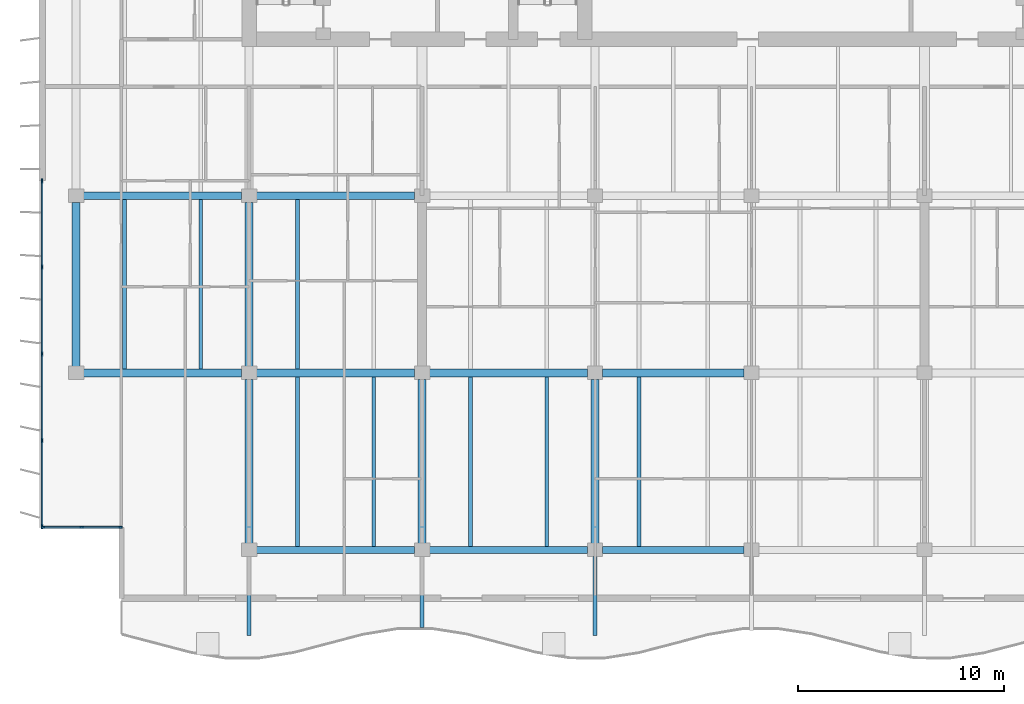
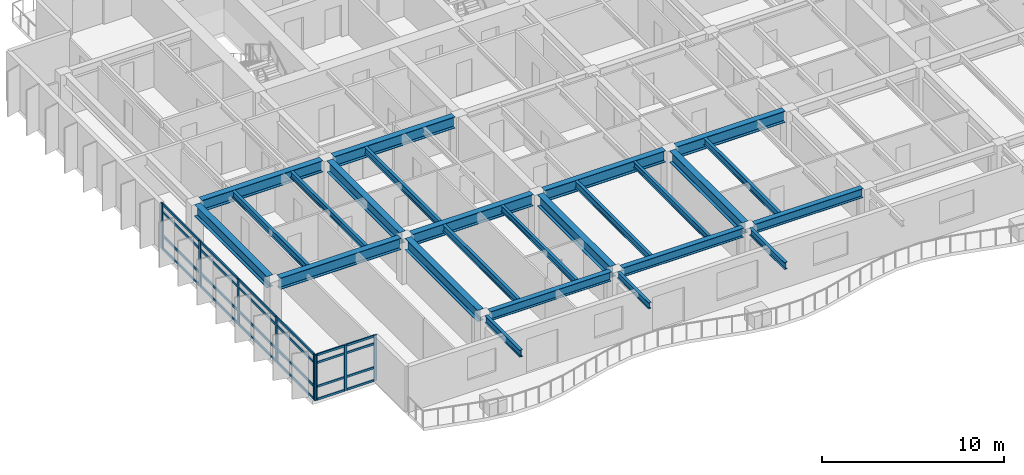
# One storey, part 2 of 16: 32 members, 25 beams, 2 elements without a shape of their own.
"""IFC4 building model written with IfcOpenShell, lengths in metres."""

from ifc_helpers import new_model, si_unit, direction, frame, origin, origin_2d, place, context, subcontext, project, spatial, rectangle, i_section, extrude, material, layer, layer_set, material_profile, profile_set, type_object, element, aggregate, save


model = new_model("IFC4")

# Units and contexts
model_context = context("Model", 3, precision=1e-05, world=origin(), true_north=direction((0.0, 1.0)))
body_context = subcontext(model_context, "Body", "Model", "MODEL_VIEW")
ifc_project = project(units=[si_unit("LENGTHUNIT", "METRE"), si_unit("AREAUNIT", "SQUARE_METRE"), si_unit("VOLUMEUNIT", "CUBIC_METRE"), si_unit("PLANEANGLEUNIT", "RADIAN"), si_unit("MASSUNIT", "GRAM", prefix="KILO")], contexts=[model_context])

# Site, building, storey
site_placement = place(None, origin())
site = spatial("IfcSite", under=ifc_project, at=site_placement, CompositionType="ELEMENT")
building_placement = place(site_placement, origin())
building = spatial("IfcBuilding", under=site, at=building_placement, Name="Caelmar Bay Residences", CompositionType="ELEMENT")
storey_placement = place(building_placement, frame((0.0, 0.0, 249.60009765625)))
storey = spatial("IfcBuildingStorey", under=building, at=storey_placement, Name="L70", CompositionType="ELEMENT", Elevation=249.60009765625)

# Beams
ifc_material_1 = material(Name="Steel ASTM A992 Grade 50", Category="steel")
ifc_material_profile_1 = material_profile(ifc_material_1, i_section(OverallWidth=0.177978515625, OverallDepth=0.406005859375, WebThickness=0.0078125, FlangeThickness=0.0126953125, FilletRadius=0.0087890625, at=origin_2d()), Name="W16X40")
ifc_profile_set_1 = profile_set([ifc_material_profile_1], Name="Steel ASTM A992 Grade 50")
beam_type_1 = type_object("IfcBeamType", Name="BM-BAL-W16X40", PredefinedType="JOIST", material=ifc_profile_set_1)
for number, where, z_axis, x_axis, name in (
    (1, (24.347900390625, 12.362548828125, 2.846923828125), (0.0, 1.0, 0.0), (-1.0, 0.0, 0.0), "L70 Composite Floor Joist 2"),
    (2, (32.748046875, 12.362548828125, 2.846923828125), (0.0, 1.0, 0.0), (-1.0, 0.0, 0.0), "L70 Composite Floor Joist 4"),
):
    element("IfcBeam", number, at=place(storey_placement, frame(where, z_axis=z_axis, x_axis=x_axis)), inside=storey, type_object=beam_type_1, Name=name, PredefinedType="JOIST", context=body_context, shape_type="SweptSolid", body=[
        extrude(i_section(OverallWidth=0.177978515625, OverallDepth=0.406005859375, WebThickness=0.0078125, FlangeThickness=0.0126953125, FilletRadius=0.0087890625, at=origin_2d()), origin(), (0.0, 0.0, 1.0), 8.2470703125),
    ])
beam_1_placement = place(storey_placement, frame((15.947998046875, 20.990478515625, 2.846923828125), z_axis=(0.0, 1.0, 0.0), x_axis=(-1.0, 0.0, 0.0)))
element("IfcBeam", 3, at=beam_1_placement, inside=storey, type_object=beam_type_1, Name="L70 Composite Floor Joist 12", PredefinedType="JOIST", context=body_context, shape_type="SweptSolid", body=[
    extrude(i_section(OverallWidth=0.177978515625, OverallDepth=0.406005859375, WebThickness=0.0078125, FlangeThickness=0.0126953125, FilletRadius=0.0087890625, at=origin_2d()), origin(), (0.0, 0.0, 1.0), 8.218994140625),
])
beam_2_placement = place(storey_placement, frame((26.699951171875, 11.885009765625, 2.846923828125), z_axis=(0.0, -1.0, 0.0), x_axis=(1.0, 0.0, 0.0)))
element("IfcBeam", 4, at=beam_2_placement, inside=storey, type_object=beam_type_1, Name="L71 South Balcony Cantilever Bracket 2", PredefinedType="JOIST", context=body_context, shape_type="SweptSolid", body=[
    extrude(i_section(OverallWidth=0.177978515625, OverallDepth=0.406005859375, WebThickness=0.0078125, FlangeThickness=0.0126953125, FilletRadius=0.0087890625, at=origin_2d()), origin(), (0.0, 0.0, 1.0), 3.449951171875),
])
ifc_material_profile_2 = material_profile(ifc_material_1, i_section(OverallWidth=0.193115234375, OverallDepth=0.467041015625, WebThickness=0.011474609375, FlangeThickness=0.01904296875, FilletRadius=0.01025390625, at=origin_2d()), Name="W18X65")
ifc_profile_set_2 = profile_set([ifc_material_profile_2], Name="Steel ASTM A992 Grade 50")
beam_type_2 = type_object("IfcBeamType", Name="BM-BAL-W18X65", PredefinedType="BEAM", material=ifc_profile_set_2)
for number, where, z_axis, x_axis, name in (
    (5, (18.300048828125, 11.885009765625, 2.81640625), (0.0, -1.0, 0.0), (1.0, 0.0, 0.0), "L71 South Balcony Cantilever Bracket 1"),
    (6, (35.10009765625, 11.885009765625, 2.81640625), (0.0, -1.0, 0.0), (1.0, 0.0, 0.0), "L71 South Balcony Cantilever Bracket 3"),
):
    element("IfcBeam", number, at=place(storey_placement, frame(where, z_axis=z_axis, x_axis=x_axis)), inside=storey, type_object=beam_type_2, Name=name, PredefinedType="BEAM", context=body_context, shape_type="SweptSolid", body=[
        extrude(i_section(OverallWidth=0.193115234375, OverallDepth=0.467041015625, WebThickness=0.011474609375, FlangeThickness=0.01904296875, FilletRadius=0.01025390625, at=origin_2d()), origin(), (0.0, 0.0, 1.0), 3.85009765625),
    ])
ifc_material_profile_3 = material_profile(ifc_material_1, i_section(OverallWidth=0.381103515625, OverallDepth=0.77197265625, WebThickness=0.0166015625, FlangeThickness=0.027099609375, FilletRadius=0.0166015625, at=origin_2d()), Name="W30X173")
ifc_profile_set_3 = profile_set([ifc_material_profile_3], Name="Steel ASTM A992 Grade 50")
beam_type_3 = type_object("IfcBeamType", Name="BM-GRD-W30X173", PredefinedType="BEAM", material=ifc_profile_set_3)
beam_3_placement = place(storey_placement, frame((10.264892578125, 20.800048828125, 2.663818359375), z_axis=(1.0, 0.0, 0.0), x_axis=(0.0, 1.0, 0.0)))
element("IfcBeam", 7, at=beam_3_placement, inside=storey, type_object=beam_type_3, Name="L70 East-West Girder Y=20.80 (9.9-18.3)", PredefinedType="BEAM", context=body_context, shape_type="SweptSolid", body=[
    extrude(i_section(OverallWidth=0.381103515625, OverallDepth=0.77197265625, WebThickness=0.0166015625, FlangeThickness=0.027099609375, FilletRadius=0.0166015625, at=origin_2d()), origin(), (0.0, 0.0, 1.0), 7.670166015625),
])
beam_4_placement = place(storey_placement, frame((18.6650390625, 20.800048828125, 2.663818359375), z_axis=(1.0, 0.0, 0.0), x_axis=(0.0, 1.0, 0.0)))
element("IfcBeam", 8, at=beam_4_placement, inside=storey, type_object=beam_type_3, Name="L70 East-West Girder Y=20.80 (18.3-26.7)", PredefinedType="BEAM", context=body_context, shape_type="SweptSolid", body=[
    extrude(i_section(OverallWidth=0.381103515625, OverallDepth=0.77197265625, WebThickness=0.0166015625, FlangeThickness=0.027099609375, FilletRadius=0.0166015625, at=origin_2d()), origin(), (0.0, 0.0, 1.0), 7.669921875),
])
beam_5_placement = place(storey_placement, frame((27.06494140625, 20.800048828125, 2.663818359375), z_axis=(1.0, 0.0, 0.0), x_axis=(0.0, 1.0, 0.0)))
element("IfcBeam", 9, at=beam_5_placement, inside=storey, type_object=beam_type_3, Name="L70 East-West Girder Y=20.80 (26.7-35.1)", PredefinedType="BEAM", context=body_context, shape_type="SweptSolid", body=[
    extrude(i_section(OverallWidth=0.381103515625, OverallDepth=0.77197265625, WebThickness=0.0166015625, FlangeThickness=0.027099609375, FilletRadius=0.0166015625, at=origin_2d()), origin(), (0.0, 0.0, 1.0), 7.670166015625),
])
beam_6_placement = place(storey_placement, frame((35.465087890625, 20.800048828125, 2.663818359375), z_axis=(1.0, 0.0, 0.0), x_axis=(0.0, 1.0, 0.0)))
element("IfcBeam", 10, at=beam_6_placement, inside=storey, type_object=beam_type_3, Name="L70 East-West Girder Y=20.80 (35.1-42.7)", PredefinedType="BEAM", context=body_context, shape_type="SweptSolid", body=[
    extrude(i_section(OverallWidth=0.381103515625, OverallDepth=0.77197265625, WebThickness=0.0166015625, FlangeThickness=0.027099609375, FilletRadius=0.0166015625, at=origin_2d()), origin(), (0.0, 0.0, 1.0), 6.869873046875),
])
beam_7_placement = place(storey_placement, frame((10.264892578125, 29.39990234375, 2.663818359375), z_axis=(1.0, 0.0, 0.0), x_axis=(0.0, 1.0, 0.0)))
element("IfcBeam", 11, at=beam_7_placement, inside=storey, type_object=beam_type_3, Name="L70 East-West Girder Y=29.40 (9.9-18.3)", PredefinedType="BEAM", context=body_context, shape_type="SweptSolid", body=[
    extrude(i_section(OverallWidth=0.381103515625, OverallDepth=0.77197265625, WebThickness=0.0166015625, FlangeThickness=0.027099609375, FilletRadius=0.0166015625, at=origin_2d()), origin(), (0.0, 0.0, 1.0), 7.670166015625),
])
beam_8_placement = place(storey_placement, frame((18.6650390625, 29.39990234375, 2.663818359375), z_axis=(1.0, 0.0, 0.0), x_axis=(0.0, 1.0, 0.0)))
element("IfcBeam", 12, at=beam_8_placement, inside=storey, type_object=beam_type_3, Name="L70 East-West Girder Y=29.40 (18.3-26.7)", PredefinedType="BEAM", context=body_context, shape_type="SweptSolid", body=[
    extrude(i_section(OverallWidth=0.381103515625, OverallDepth=0.77197265625, WebThickness=0.0166015625, FlangeThickness=0.027099609375, FilletRadius=0.0166015625, at=origin_2d()), origin(), (0.0, 0.0, 1.0), 7.669921875),
])
beam_9_placement = place(storey_placement, frame((9.89990234375, 21.114990234375, 2.663818359375), z_axis=(0.0, 1.0, 0.0), x_axis=(-1.0, 0.0, 0.0)))
element("IfcBeam", 13, at=beam_9_placement, inside=storey, type_object=beam_type_3, Name="L70 North-South Girder X=9.90 (20.8-29.4)", PredefinedType="BEAM", context=body_context, shape_type="SweptSolid", body=[
    extrude(i_section(OverallWidth=0.381103515625, OverallDepth=0.77197265625, WebThickness=0.0166015625, FlangeThickness=0.027099609375, FilletRadius=0.0166015625, at=origin_2d()), origin(), (0.0, 0.0, 1.0), 7.969970703125),
])
beam_10_placement = place(storey_placement, frame((18.300048828125, 12.514892578125, 2.663818359375), z_axis=(0.0, 1.0, 0.0), x_axis=(-1.0, 0.0, 0.0)))
element("IfcBeam", 14, at=beam_10_placement, inside=storey, type_object=beam_type_3, Name="L70 North-South Girder X=18.30 (12.2-20.8)", PredefinedType="BEAM", context=body_context, shape_type="SweptSolid", body=[
    extrude(i_section(OverallWidth=0.381103515625, OverallDepth=0.77197265625, WebThickness=0.0166015625, FlangeThickness=0.027099609375, FilletRadius=0.0166015625, at=origin_2d()), origin(), (0.0, 0.0, 1.0), 7.97021484375),
])
beam_11_placement = place(storey_placement, frame((18.300048828125, 21.114990234375, 2.663818359375), z_axis=(0.0, 1.0, 0.0), x_axis=(-1.0, 0.0, 0.0)))
element("IfcBeam", 15, at=beam_11_placement, inside=storey, type_object=beam_type_3, Name="L70 North-South Girder X=18.30 (20.8-29.4)", PredefinedType="BEAM", context=body_context, shape_type="SweptSolid", body=[
    extrude(i_section(OverallWidth=0.381103515625, OverallDepth=0.77197265625, WebThickness=0.0166015625, FlangeThickness=0.027099609375, FilletRadius=0.0166015625, at=origin_2d()), origin(), (0.0, 0.0, 1.0), 7.969970703125),
])
for number, where, z_axis, x_axis, name in (
    (16, (26.699951171875, 12.514892578125, 2.663818359375), (0.0, 1.0, 0.0), (-1.0, 0.0, 0.0), "L70 North-South Girder X=26.70 (12.2-20.8)"),
    (17, (35.10009765625, 12.514892578125, 2.663818359375), (0.0, 1.0, 0.0), (-1.0, 0.0, 0.0), "L70 North-South Girder X=35.10 (12.2-20.8)"),
):
    element("IfcBeam", number, at=place(storey_placement, frame(where, z_axis=z_axis, x_axis=x_axis)), inside=storey, type_object=beam_type_3, Name=name, PredefinedType="BEAM", context=body_context, shape_type="SweptSolid", body=[
        extrude(i_section(OverallWidth=0.381103515625, OverallDepth=0.77197265625, WebThickness=0.0166015625, FlangeThickness=0.027099609375, FilletRadius=0.0166015625, at=origin_2d()), origin(), (0.0, 0.0, 1.0), 7.97021484375),
    ])
ifc_material_profile_4 = material_profile(ifc_material_1, i_section(OverallWidth=0.19091796875, OverallDepth=0.45703125, WebThickness=0.009033203125, FlangeThickness=0.014404296875, FilletRadius=0.01025390625, at=origin_2d()), Name="W18X50")
ifc_profile_set_4 = profile_set([ifc_material_profile_4], Name="Steel ASTM A992 Grade 50")
beam_type_4 = type_object("IfcBeamType", Name="BM-JST-W18X50", PredefinedType="JOIST", material=ifc_profile_set_4)
for number, where, z_axis, x_axis, name in (
    (18, (20.652099609375, 12.362548828125, 2.8212890625), (0.0, 1.0, 0.0), (-1.0, 0.0, 0.0), "L70 Composite Floor Joist 1"),
    (19, (29.052001953125, 12.362548828125, 2.8212890625), (0.0, 1.0, 0.0), (-1.0, 0.0, 0.0), "L70 Composite Floor Joist 3"),
    (20, (37.22802734375, 12.362548828125, 2.8212890625), (0.0, 1.0, 0.0), (-1.0, 0.0, 0.0), "L70 Composite Floor Joist 5"),
):
    element("IfcBeam", number, at=place(storey_placement, frame(where, z_axis=z_axis, x_axis=x_axis)), inside=storey, type_object=beam_type_4, Name=name, PredefinedType="JOIST", context=body_context, shape_type="SweptSolid", body=[
        extrude(i_section(OverallWidth=0.19091796875, OverallDepth=0.45703125, WebThickness=0.009033203125, FlangeThickness=0.014404296875, FilletRadius=0.01025390625, at=origin_2d()), origin(), (0.0, 0.0, 1.0), 8.2470703125),
    ])
for number, where, z_axis, x_axis, name in (
    (21, (12.251953125, 20.990478515625, 2.8212890625), (0.0, 1.0, 0.0), (-1.0, 0.0, 0.0), "L70 Composite Floor Joist 11"),
    (22, (20.652099609375, 20.990478515625, 2.8212890625), (0.0, 1.0, 0.0), (-1.0, 0.0, 0.0), "L70 Composite Floor Joist 13"),
):
    element("IfcBeam", number, at=place(storey_placement, frame(where, z_axis=z_axis, x_axis=x_axis)), inside=storey, type_object=beam_type_4, Name=name, PredefinedType="JOIST", context=body_context, shape_type="SweptSolid", body=[
        extrude(i_section(OverallWidth=0.19091796875, OverallDepth=0.45703125, WebThickness=0.009033203125, FlangeThickness=0.014404296875, FilletRadius=0.01025390625, at=origin_2d()), origin(), (0.0, 0.0, 1.0), 8.218994140625),
    ])
ifc_material_profile_5 = material_profile(ifc_material_1, i_section(OverallWidth=0.324951171875, OverallDepth=0.616943359375, WebThickness=0.013916015625, FlangeThickness=0.021484375, FilletRadius=0.0126953125, at=origin_2d()), Name="W24X117")
ifc_profile_set_5 = profile_set([ifc_material_profile_5], Name="Steel ASTM A992 Grade 50")
beam_type_5 = type_object("IfcBeamType", Name="BM-SPN-W24X117", PredefinedType="SPANDREL", material=ifc_profile_set_5)
beam_12_placement = place(storey_placement, frame((18.6650390625, 12.199951171875, 2.741455078125), z_axis=(1.0, 0.0, 0.0), x_axis=(0.0, 1.0, 0.0)))
element("IfcBeam", 23, at=beam_12_placement, inside=storey, type_object=beam_type_5, Name="L70 East-West Girder Y=12.20 (18.3-26.7)", PredefinedType="SPANDREL", context=body_context, shape_type="SweptSolid", body=[
    extrude(i_section(OverallWidth=0.324951171875, OverallDepth=0.616943359375, WebThickness=0.013916015625, FlangeThickness=0.021484375, FilletRadius=0.0126953125, at=origin_2d()), origin(), (0.0, 0.0, 1.0), 7.669921875),
])
beam_13_placement = place(storey_placement, frame((27.06494140625, 12.199951171875, 2.741455078125), z_axis=(1.0, 0.0, 0.0), x_axis=(0.0, 1.0, 0.0)))
element("IfcBeam", 24, at=beam_13_placement, inside=storey, type_object=beam_type_5, Name="L70 East-West Girder Y=12.20 (26.7-35.1)", PredefinedType="SPANDREL", context=body_context, shape_type="SweptSolid", body=[
    extrude(i_section(OverallWidth=0.324951171875, OverallDepth=0.616943359375, WebThickness=0.013916015625, FlangeThickness=0.021484375, FilletRadius=0.0126953125, at=origin_2d()), origin(), (0.0, 0.0, 1.0), 7.670166015625),
])
beam_14_placement = place(storey_placement, frame((35.465087890625, 12.199951171875, 2.741455078125), z_axis=(1.0, 0.0, 0.0), x_axis=(0.0, 1.0, 0.0)))
element("IfcBeam", 25, at=beam_14_placement, inside=storey, type_object=beam_type_5, Name="L70 East-West Girder Y=12.20 (35.1-42.7)", PredefinedType="SPANDREL", context=body_context, shape_type="SweptSolid", body=[
    extrude(i_section(OverallWidth=0.324951171875, OverallDepth=0.616943359375, WebThickness=0.013916015625, FlangeThickness=0.021484375, FilletRadius=0.0126953125, at=origin_2d()), origin(), (0.0, 0.0, 1.0), 6.869873046875),
])

# Curtain wall, members
ifc_material_2 = material(Name="Anodised bronze aluminium 6063-T6 and laminated glass", Category="aluminium")
ifc_layer_1 = layer(ifc_material_2, 0.179931640625)
ifc_layer_set_1 = layer_set([ifc_layer_1], Name="Anodised bronze aluminium 6063-T6 and laminated glass")
curtain_wall_type_1 = type_object("IfcCurtainWallType", Name="CW6-NTC", PredefinedType="NOTDEFINED", material=ifc_layer_set_1)
curtain_wall_1_placement = place(storey_placement, origin())
curtain_wall_1 = element("IfcCurtainWall", 26, at=curtain_wall_1_placement, inside=storey, type_object=curtain_wall_type_1, Name="CW6 curtain wall L70", PredefinedType="NOTDEFINED")
ifc_material_3 = material(Name="Anodised bronze aluminium 6063-T6", Category="aluminium")
ifc_material_profile_6 = material_profile(ifc_material_3, rectangle(XDim=0.080078125, YDim=0.179931640625, at=origin_2d()), Name="CWM-80X180")
ifc_profile_set_6 = profile_set([ifc_material_profile_6], Name="Anodised bronze aluminium 6063-T6")
member_type_1 = type_object("IfcMemberType", Name="CWM-180", PredefinedType="MULLION", material=ifc_profile_set_6)
member_1_placement = place(storey_placement, frame((8.2900390625, 13.300048828125, 0.0), z_axis=(0.0, 0.0, 1.0), x_axis=(0.0, 1.0, 0.0)))
member_1 = element("IfcMember", 27, at=member_1_placement, type_object=member_type_1, Name="CW6 mullion 1", PredefinedType="MULLION", context=body_context, shape_type="SweptSolid", body=[
    extrude(rectangle(XDim=0.080078125, YDim=0.179931640625, at=origin_2d()), origin(), (0.0, 0.0, 1.0), 3.0498046875),
])
member_2_placement = place(storey_placement, frame((10.175048828125, 13.300048828125, 0.0), z_axis=(0.0, 0.0, 1.0), x_axis=(0.0, 1.0, 0.0)))
member_2 = element("IfcMember", 28, at=member_2_placement, type_object=member_type_1, Name="CW6 mullion 2", PredefinedType="MULLION", context=body_context, shape_type="SweptSolid", body=[
    extrude(rectangle(XDim=0.080078125, YDim=0.179931640625, at=origin_2d()), origin(), (0.0, 0.0, 1.0), 3.0498046875),
])
member_3_placement = place(storey_placement, frame((12.06005859375, 13.300048828125, 0.0), z_axis=(0.0, 0.0, 1.0), x_axis=(0.0, 1.0, 0.0)))
member_3 = element("IfcMember", 29, at=member_3_placement, type_object=member_type_1, Name="CW6 mullion 3", PredefinedType="MULLION", context=body_context, shape_type="SweptSolid", body=[
    extrude(rectangle(XDim=0.080078125, YDim=0.179931640625, at=origin_2d()), origin(), (0.0, 0.0, 1.0), 3.0498046875),
])

ifc_layer_2 = layer(ifc_material_2, 0.179931640625)
ifc_layer_set_2 = layer_set([ifc_layer_2], Name="Anodised bronze aluminium 6063-T6 and laminated glass")
curtain_wall_type_2 = type_object("IfcCurtainWallType", Name="CW5-Z4", PredefinedType="NOTDEFINED", material=ifc_layer_set_2)
curtain_wall_2_placement = place(storey_placement, origin())
curtain_wall_2 = element("IfcCurtainWall", 30, at=curtain_wall_2_placement, inside=storey, type_object=curtain_wall_type_2, Name="CW5 curtain wall L70", PredefinedType="NOTDEFINED")
ifc_material_profile_7 = material_profile(ifc_material_3, rectangle(XDim=0.080078125, YDim=0.219970703125, at=origin_2d()), Name="CWM-80X220")
ifc_profile_set_7 = profile_set([ifc_material_profile_7], Name="Anodised bronze aluminium 6063-T6")
member_type_2 = type_object("IfcMemberType", Name="CWM-220", PredefinedType="MULLION", material=ifc_profile_set_7)
member_4_placement = place(storey_placement, frame((8.25, 13.340087890625, 0.0), z_axis=(0.0, 0.0, 1.0), x_axis=(-1.0, 0.0, 0.0)))
member_4 = element("IfcMember", 31, at=member_4_placement, type_object=member_type_2, Name="CW5 mullion 1", PredefinedType="MULLION", context=body_context, shape_type="SweptSolid", body=[
    extrude(rectangle(XDim=0.080078125, YDim=0.219970703125, at=origin_2d()), origin(), (0.0, 0.0, 1.0), 3.0498046875),
])
member_5_placement = place(storey_placement, frame((8.25, 17.512451171875, 0.0), z_axis=(0.0, 0.0, 1.0), x_axis=(-1.0, 0.0, 0.0)))
member_5 = element("IfcMember", 32, at=member_5_placement, type_object=member_type_2, Name="CW5 mullion 2", PredefinedType="MULLION", context=body_context, shape_type="SweptSolid", body=[
    extrude(rectangle(XDim=0.080078125, YDim=0.219970703125, at=origin_2d()), origin(), (0.0, 0.0, 1.0), 3.0498046875),
])
member_6_placement = place(storey_placement, frame((8.25, 21.72509765625, 0.0), z_axis=(0.0, 0.0, 1.0), x_axis=(-1.0, 0.0, 0.0)))
member_6 = element("IfcMember", 33, at=member_6_placement, type_object=member_type_2, Name="CW5 mullion 3", PredefinedType="MULLION", context=body_context, shape_type="SweptSolid", body=[
    extrude(rectangle(XDim=0.080078125, YDim=0.219970703125, at=origin_2d()), origin(), (0.0, 0.0, 1.0), 3.0498046875),
])
member_7_placement = place(storey_placement, frame((8.25, 25.9375, 0.0), z_axis=(0.0, 0.0, 1.0), x_axis=(-1.0, 0.0, 0.0)))
member_7 = element("IfcMember", 34, at=member_7_placement, type_object=member_type_2, Name="CW5 mullion 4", PredefinedType="MULLION", context=body_context, shape_type="SweptSolid", body=[
    extrude(rectangle(XDim=0.080078125, YDim=0.219970703125, at=origin_2d()), origin(), (0.0, 0.0, 1.0), 3.0498046875),
])
member_8_placement = place(storey_placement, frame((8.25, 30.110107421875, 0.0), z_axis=(0.0, 0.0, 1.0), x_axis=(-1.0, 0.0, 0.0)))
member_8 = element("IfcMember", 35, at=member_8_placement, type_object=member_type_2, Name="CW5 mullion 5", PredefinedType="MULLION", context=body_context, shape_type="SweptSolid", body=[
    extrude(rectangle(XDim=0.080078125, YDim=0.219970703125, at=origin_2d()), origin(), (0.0, 0.0, 1.0), 3.0498046875),
])

# Member
ifc_material_profile_8 = material_profile(ifc_material_3, rectangle(XDim=0.080078125, YDim=0.139892578125, at=origin_2d()), Name="CWT-80X140")
ifc_profile_set_8 = profile_set([ifc_material_profile_8], Name="Anodised bronze aluminium 6063-T6")
member_type_3 = type_object("IfcMemberType", Name="CWT-140", PredefinedType="NOTDEFINED", material=ifc_profile_set_8)
member_9_placement = place(storey_placement, frame((8.330078125, 13.300048828125, 0.039794921875), z_axis=(1.0, 0.0, 0.0), x_axis=(0.0, 1.0, 0.0)))
member_9 = element("IfcMember", 36, at=member_9_placement, type_object=member_type_3, Name="CW6 transom 1.1", ObjectType="TRANSOM", PredefinedType="USERDEFINED", context=body_context, shape_type="SweptSolid", body=[
    extrude(rectangle(XDim=0.080078125, YDim=0.139892578125, at=origin_2d()), origin(), (0.0, 0.0, 1.0), 1.804931640625),
])

member_10_placement = place(storey_placement, frame((8.330078125, 13.300048828125, 0.89990234375), z_axis=(1.0, 0.0, 0.0), x_axis=(0.0, 1.0, 0.0)))
member_10 = element("IfcMember", 37, at=member_10_placement, type_object=member_type_3, Name="CW6 transom 1.2", ObjectType="TRANSOM", PredefinedType="USERDEFINED", context=body_context, shape_type="SweptSolid", body=[
    extrude(rectangle(XDim=0.080078125, YDim=0.139892578125, at=origin_2d()), origin(), (0.0, 0.0, 1.0), 1.804931640625),
])

member_11_placement = place(storey_placement, frame((8.330078125, 13.300048828125, 2.5), z_axis=(1.0, 0.0, 0.0), x_axis=(0.0, 1.0, 0.0)))
member_11 = element("IfcMember", 38, at=member_11_placement, type_object=member_type_3, Name="CW6 transom 1.3", ObjectType="TRANSOM", PredefinedType="USERDEFINED", context=body_context, shape_type="SweptSolid", body=[
    extrude(rectangle(XDim=0.080078125, YDim=0.139892578125, at=origin_2d()), origin(), (0.0, 0.0, 1.0), 1.804931640625),
])

member_12_placement = place(storey_placement, frame((8.330078125, 13.300048828125, 3.010009765625), z_axis=(1.0, 0.0, 0.0), x_axis=(0.0, 1.0, 0.0)))
member_12 = element("IfcMember", 39, at=member_12_placement, type_object=member_type_3, Name="CW6 transom 1.4", ObjectType="TRANSOM", PredefinedType="USERDEFINED", context=body_context, shape_type="SweptSolid", body=[
    extrude(rectangle(XDim=0.080078125, YDim=0.139892578125, at=origin_2d()), origin(), (0.0, 0.0, 1.0), 1.804931640625),
])

member_13_placement = place(storey_placement, frame((10.215087890625, 13.300048828125, 0.039794921875), z_axis=(1.0, 0.0, 0.0), x_axis=(0.0, 1.0, 0.0)))
member_13 = element("IfcMember", 40, at=member_13_placement, type_object=member_type_3, Name="CW6 transom 2.1", ObjectType="TRANSOM", PredefinedType="USERDEFINED", context=body_context, shape_type="SweptSolid", body=[
    extrude(rectangle(XDim=0.080078125, YDim=0.139892578125, at=origin_2d()), origin(), (0.0, 0.0, 1.0), 1.804931640625),
])

member_14_placement = place(storey_placement, frame((10.215087890625, 13.300048828125, 0.89990234375), z_axis=(1.0, 0.0, 0.0), x_axis=(0.0, 1.0, 0.0)))
member_14 = element("IfcMember", 41, at=member_14_placement, type_object=member_type_3, Name="CW6 transom 2.2", ObjectType="TRANSOM", PredefinedType="USERDEFINED", context=body_context, shape_type="SweptSolid", body=[
    extrude(rectangle(XDim=0.080078125, YDim=0.139892578125, at=origin_2d()), origin(), (0.0, 0.0, 1.0), 1.804931640625),
])

member_15_placement = place(storey_placement, frame((10.215087890625, 13.300048828125, 2.5), z_axis=(1.0, 0.0, 0.0), x_axis=(0.0, 1.0, 0.0)))
member_15 = element("IfcMember", 42, at=member_15_placement, type_object=member_type_3, Name="CW6 transom 2.3", ObjectType="TRANSOM", PredefinedType="USERDEFINED", context=body_context, shape_type="SweptSolid", body=[
    extrude(rectangle(XDim=0.080078125, YDim=0.139892578125, at=origin_2d()), origin(), (0.0, 0.0, 1.0), 1.804931640625),
])

member_16_placement = place(storey_placement, frame((10.215087890625, 13.300048828125, 3.010009765625), z_axis=(1.0, 0.0, 0.0), x_axis=(0.0, 1.0, 0.0)))
member_16 = element("IfcMember", 43, at=member_16_placement, type_object=member_type_3, Name="CW6 transom 2.4", ObjectType="TRANSOM", PredefinedType="USERDEFINED", context=body_context, shape_type="SweptSolid", body=[
    extrude(rectangle(XDim=0.080078125, YDim=0.139892578125, at=origin_2d()), origin(), (0.0, 0.0, 1.0), 1.804931640625),
])

aggregate(curtain_wall_1, [member_1, member_2, member_3, member_9, member_10, member_11, member_12, member_13, member_14, member_15, member_16])

ifc_material_profile_9 = material_profile(ifc_material_3, rectangle(XDim=0.080078125, YDim=0.159912109375, at=origin_2d()), Name="CWT-80X160")
ifc_profile_set_9 = profile_set([ifc_material_profile_9], Name="Anodised bronze aluminium 6063-T6")
member_type_4 = type_object("IfcMemberType", Name="CWT-160", PredefinedType="NOTDEFINED", material=ifc_profile_set_9)
member_17_placement = place(storey_placement, frame((8.25, 13.3798828125, 0.039794921875), z_axis=(0.0, 1.0, 0.0), x_axis=(-1.0, 0.0, 0.0)))
member_17 = element("IfcMember", 44, at=member_17_placement, type_object=member_type_4, Name="CW5 transom 1.1", ObjectType="TRANSOM", PredefinedType="USERDEFINED", context=body_context, shape_type="SweptSolid", body=[
    extrude(rectangle(XDim=0.080078125, YDim=0.159912109375, at=origin_2d()), origin(), (0.0, 0.0, 1.0), 4.092529296875),
])

member_18_placement = place(storey_placement, frame((8.25, 13.3798828125, 0.89990234375), z_axis=(0.0, 1.0, 0.0), x_axis=(-1.0, 0.0, 0.0)))
member_18 = element("IfcMember", 45, at=member_18_placement, type_object=member_type_4, Name="CW5 transom 1.2", ObjectType="TRANSOM", PredefinedType="USERDEFINED", context=body_context, shape_type="SweptSolid", body=[
    extrude(rectangle(XDim=0.080078125, YDim=0.159912109375, at=origin_2d()), origin(), (0.0, 0.0, 1.0), 4.092529296875),
])

member_19_placement = place(storey_placement, frame((8.25, 13.3798828125, 2.5), z_axis=(0.0, 1.0, 0.0), x_axis=(-1.0, 0.0, 0.0)))
member_19 = element("IfcMember", 46, at=member_19_placement, type_object=member_type_4, Name="CW5 transom 1.3", ObjectType="TRANSOM", PredefinedType="USERDEFINED", context=body_context, shape_type="SweptSolid", body=[
    extrude(rectangle(XDim=0.080078125, YDim=0.159912109375, at=origin_2d()), origin(), (0.0, 0.0, 1.0), 4.092529296875),
])

member_20_placement = place(storey_placement, frame((8.25, 13.3798828125, 3.010009765625), z_axis=(0.0, 1.0, 0.0), x_axis=(-1.0, 0.0, 0.0)))
member_20 = element("IfcMember", 47, at=member_20_placement, type_object=member_type_4, Name="CW5 transom 1.4", ObjectType="TRANSOM", PredefinedType="USERDEFINED", context=body_context, shape_type="SweptSolid", body=[
    extrude(rectangle(XDim=0.080078125, YDim=0.159912109375, at=origin_2d()), origin(), (0.0, 0.0, 1.0), 4.092529296875),
])

member_21_placement = place(storey_placement, frame((8.25, 17.552490234375, 0.039794921875), z_axis=(0.0, 1.0, 0.0), x_axis=(-1.0, 0.0, 0.0)))
member_21 = element("IfcMember", 48, at=member_21_placement, type_object=member_type_4, Name="CW5 transom 2.1", ObjectType="TRANSOM", PredefinedType="USERDEFINED", context=body_context, shape_type="SweptSolid", body=[
    extrude(rectangle(XDim=0.080078125, YDim=0.159912109375, at=origin_2d()), origin(), (0.0, 0.0, 1.0), 4.132568359375),
])

member_22_placement = place(storey_placement, frame((8.25, 17.552490234375, 0.89990234375), z_axis=(0.0, 1.0, 0.0), x_axis=(-1.0, 0.0, 0.0)))
member_22 = element("IfcMember", 49, at=member_22_placement, type_object=member_type_4, Name="CW5 transom 2.2", ObjectType="TRANSOM", PredefinedType="USERDEFINED", context=body_context, shape_type="SweptSolid", body=[
    extrude(rectangle(XDim=0.080078125, YDim=0.159912109375, at=origin_2d()), origin(), (0.0, 0.0, 1.0), 4.132568359375),
])

member_23_placement = place(storey_placement, frame((8.25, 17.552490234375, 2.5), z_axis=(0.0, 1.0, 0.0), x_axis=(-1.0, 0.0, 0.0)))
member_23 = element("IfcMember", 50, at=member_23_placement, type_object=member_type_4, Name="CW5 transom 2.3", ObjectType="TRANSOM", PredefinedType="USERDEFINED", context=body_context, shape_type="SweptSolid", body=[
    extrude(rectangle(XDim=0.080078125, YDim=0.159912109375, at=origin_2d()), origin(), (0.0, 0.0, 1.0), 4.132568359375),
])

member_24_placement = place(storey_placement, frame((8.25, 17.552490234375, 3.010009765625), z_axis=(0.0, 1.0, 0.0), x_axis=(-1.0, 0.0, 0.0)))
member_24 = element("IfcMember", 51, at=member_24_placement, type_object=member_type_4, Name="CW5 transom 2.4", ObjectType="TRANSOM", PredefinedType="USERDEFINED", context=body_context, shape_type="SweptSolid", body=[
    extrude(rectangle(XDim=0.080078125, YDim=0.159912109375, at=origin_2d()), origin(), (0.0, 0.0, 1.0), 4.132568359375),
])

member_25_placement = place(storey_placement, frame((8.25, 21.764892578125, 0.039794921875), z_axis=(0.0, 1.0, 0.0), x_axis=(-1.0, 0.0, 0.0)))
member_25 = element("IfcMember", 52, at=member_25_placement, type_object=member_type_4, Name="CW5 transom 3.1", ObjectType="TRANSOM", PredefinedType="USERDEFINED", context=body_context, shape_type="SweptSolid", body=[
    extrude(rectangle(XDim=0.080078125, YDim=0.159912109375, at=origin_2d()), origin(), (0.0, 0.0, 1.0), 4.132568359375),
])

member_26_placement = place(storey_placement, frame((8.25, 21.764892578125, 0.89990234375), z_axis=(0.0, 1.0, 0.0), x_axis=(-1.0, 0.0, 0.0)))
member_26 = element("IfcMember", 53, at=member_26_placement, type_object=member_type_4, Name="CW5 transom 3.2", ObjectType="TRANSOM", PredefinedType="USERDEFINED", context=body_context, shape_type="SweptSolid", body=[
    extrude(rectangle(XDim=0.080078125, YDim=0.159912109375, at=origin_2d()), origin(), (0.0, 0.0, 1.0), 4.132568359375),
])

member_27_placement = place(storey_placement, frame((8.25, 21.764892578125, 2.5), z_axis=(0.0, 1.0, 0.0), x_axis=(-1.0, 0.0, 0.0)))
member_27 = element("IfcMember", 54, at=member_27_placement, type_object=member_type_4, Name="CW5 transom 3.3", ObjectType="TRANSOM", PredefinedType="USERDEFINED", context=body_context, shape_type="SweptSolid", body=[
    extrude(rectangle(XDim=0.080078125, YDim=0.159912109375, at=origin_2d()), origin(), (0.0, 0.0, 1.0), 4.132568359375),
])

member_28_placement = place(storey_placement, frame((8.25, 21.764892578125, 3.010009765625), z_axis=(0.0, 1.0, 0.0), x_axis=(-1.0, 0.0, 0.0)))
member_28 = element("IfcMember", 55, at=member_28_placement, type_object=member_type_4, Name="CW5 transom 3.4", ObjectType="TRANSOM", PredefinedType="USERDEFINED", context=body_context, shape_type="SweptSolid", body=[
    extrude(rectangle(XDim=0.080078125, YDim=0.159912109375, at=origin_2d()), origin(), (0.0, 0.0, 1.0), 4.132568359375),
])

member_29_placement = place(storey_placement, frame((8.25, 25.9775390625, 0.039794921875), z_axis=(0.0, 1.0, 0.0), x_axis=(-1.0, 0.0, 0.0)))
member_29 = element("IfcMember", 56, at=member_29_placement, type_object=member_type_4, Name="CW5 transom 4.1", ObjectType="TRANSOM", PredefinedType="USERDEFINED", context=body_context, shape_type="SweptSolid", body=[
    extrude(rectangle(XDim=0.080078125, YDim=0.159912109375, at=origin_2d()), origin(), (0.0, 0.0, 1.0), 4.092529296875),
])

member_30_placement = place(storey_placement, frame((8.25, 25.9775390625, 0.89990234375), z_axis=(0.0, 1.0, 0.0), x_axis=(-1.0, 0.0, 0.0)))
member_30 = element("IfcMember", 57, at=member_30_placement, type_object=member_type_4, Name="CW5 transom 4.2", ObjectType="TRANSOM", PredefinedType="USERDEFINED", context=body_context, shape_type="SweptSolid", body=[
    extrude(rectangle(XDim=0.080078125, YDim=0.159912109375, at=origin_2d()), origin(), (0.0, 0.0, 1.0), 4.092529296875),
])

member_31_placement = place(storey_placement, frame((8.25, 25.9775390625, 2.5), z_axis=(0.0, 1.0, 0.0), x_axis=(-1.0, 0.0, 0.0)))
member_31 = element("IfcMember", 58, at=member_31_placement, type_object=member_type_4, Name="CW5 transom 4.3", ObjectType="TRANSOM", PredefinedType="USERDEFINED", context=body_context, shape_type="SweptSolid", body=[
    extrude(rectangle(XDim=0.080078125, YDim=0.159912109375, at=origin_2d()), origin(), (0.0, 0.0, 1.0), 4.092529296875),
])

member_32_placement = place(storey_placement, frame((8.25, 25.9775390625, 3.010009765625), z_axis=(0.0, 1.0, 0.0), x_axis=(-1.0, 0.0, 0.0)))
member_32 = element("IfcMember", 59, at=member_32_placement, type_object=member_type_4, Name="CW5 transom 4.4", ObjectType="TRANSOM", PredefinedType="USERDEFINED", context=body_context, shape_type="SweptSolid", body=[
    extrude(rectangle(XDim=0.080078125, YDim=0.159912109375, at=origin_2d()), origin(), (0.0, 0.0, 1.0), 4.092529296875),
])

aggregate(curtain_wall_2, [member_4, member_5, member_6, member_7, member_8, member_17, member_18, member_19, member_20, member_21, member_22, member_23, member_24, member_25, member_26, member_27, member_28, member_29, member_30, member_31, member_32])

save(model, "model.ifc")
